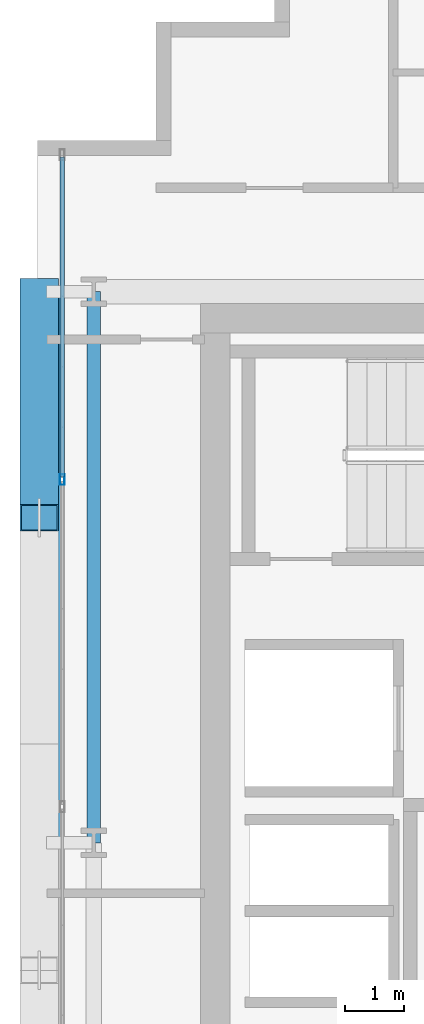
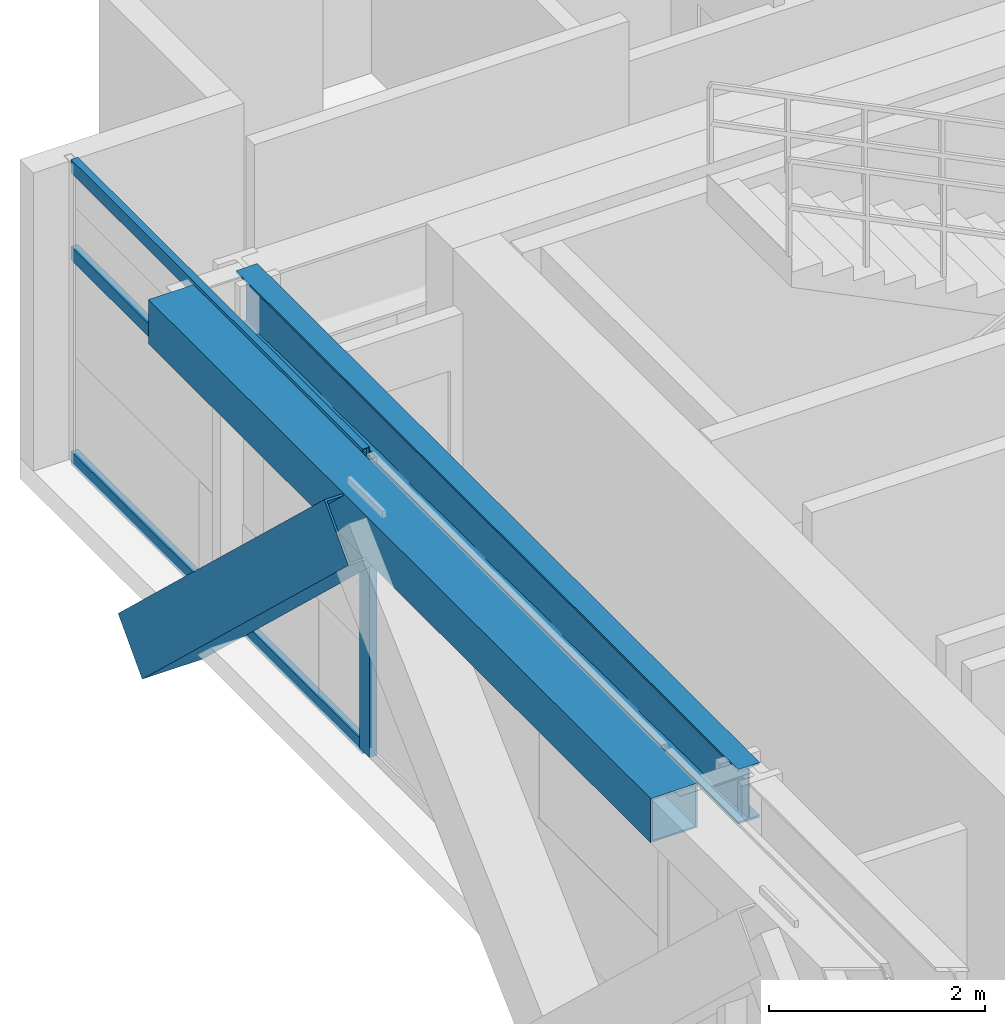
# One storey, part 8 of 31: 5 members, 2 beams, 1 element without a shape of its own.
"""IFC4 building model written with IfcOpenShell, lengths in metres."""

import ifcopenshell
import ifcopenshell.guid

model = None  # the IFC model being written
_history = None  # IfcOwnerHistory: only IFC2X3 demands one
_inside = {}  # id of a spatial element -> (the spatial element, [elements in it])
_under = {}  # id of a project, library or spatial element -> (it, [spatial elements below it])
_declared = {}  # id of a project -> (the project, [libraries it declares])
_typed = {}  # id of a type object -> (the type object, [elements of that type])
_made_of = {}  # id of a material, layer set ... -> (it, [elements and type objects made of it])


def new_model(schema):
    """Start an empty IFC model of exactly this schema.

    Asked for "IFC4X3", IfcOpenShell would pick the latest addendum, in which some entities
    have other attributes; the version numbers below select the first issue.
    IFC2X3 requires an IfcOwnerHistory on every rooted entity: one is made here for all.
    """
    global model, _history
    if schema == "IFC4X3":
        model = ifcopenshell.file(schema_version=(4, 3, 0, 0))
    else:
        model = ifcopenshell.file(schema=schema)
    _inside.clear()
    _under.clear()
    _declared.clear()
    _typed.clear()
    _made_of.clear()
    _history = None
    if model.schema == "IFC2X3":
        org = make("IfcOrganization", Name="unknown")
        user = make(
            "IfcPersonAndOrganization",
            ThePerson=make("IfcPerson", FamilyName="unknown"),
            TheOrganization=org,
        )
        app = make(
            "IfcApplication",
            ApplicationDeveloper=org,
            Version="unknown",
            ApplicationFullName="unknown",
            ApplicationIdentifier="unknown",
        )
        _history = make(
            "IfcOwnerHistory",
            OwningUser=user,
            OwningApplication=app,
            ChangeAction="ADDED",
            CreationDate=0,
        )
    return model


def make(cls, **values):
    """One entity of the class cls with the attributes given. An attribute that is None is left unset."""
    return model.create_entity(
        cls, **{name: value for name, value in values.items() if value is not None}
    )


def rooted(cls, **values):
    """An entity with a GlobalId (a new one), such as an element, a storey or a relation."""
    return make(cls, GlobalId=ifcopenshell.guid.new(), OwnerHistory=_history, **values)


def si_unit(unit_type, name, prefix=None):
    """IfcSIUnit, for example si_unit("LENGTHUNIT", "METRE", prefix="MILLI")."""
    return make("IfcSIUnit", UnitType=unit_type, Prefix=prefix, Name=name)


def assignment(units):
    """IfcUnitAssignment: the units of a project."""
    return None if units is None else make("IfcUnitAssignment", Units=units)


def point(xyz):
    """IfcCartesianPoint."""
    return None if xyz is None else make("IfcCartesianPoint", Coordinates=xyz)


def direction(xyz):
    """IfcDirection."""
    return None if xyz is None else make("IfcDirection", DirectionRatios=xyz)


def frame(location, z_axis=None, x_axis=None):
    """IfcAxis2Placement3D, a coordinate frame: its origin and axes. An axis left out is left unset."""
    return make(
        "IfcAxis2Placement3D",
        Location=point(location),
        Axis=direction(z_axis),
        RefDirection=direction(x_axis),
    )


def frame_2d(location, x_axis=None):
    """IfcAxis2Placement2D, a coordinate frame in the plane: its origin and x axis."""
    return make(
        "IfcAxis2Placement2D", Location=point(location), RefDirection=direction(x_axis)
    )


def origin():
    """The frame at (0, 0, 0) with its axes left unset."""
    return frame((0.0, 0.0, 0.0))


def origin_2d():
    """The frame at (0, 0) in the plane with its x axis left unset."""
    return frame_2d((0.0, 0.0))


def place(relative_to, where):
    """IfcLocalPlacement: puts the frame where relative to a parent placement (None: the world)."""
    return make(
        "IfcLocalPlacement", PlacementRelTo=relative_to, RelativePlacement=where
    )


def context(
    kind, dimensions, precision=None, world=None, true_north=None, identifier=None
):
    """IfcGeometricRepresentationContext, for example the 3D "Model" context."""
    return make(
        "IfcGeometricRepresentationContext",
        ContextIdentifier=identifier,
        ContextType=kind,
        CoordinateSpaceDimension=dimensions,
        Precision=precision,
        WorldCoordinateSystem=world,
        TrueNorth=true_north,
    )


def subcontext(parent, identifier, kind, view, scale=None):
    """IfcGeometricRepresentationSubContext, for example "Body" below "Model"."""
    return make(
        "IfcGeometricRepresentationSubContext",
        ContextIdentifier=identifier,
        ContextType=kind,
        ParentContext=parent,
        TargetScale=scale,
        TargetView=view,
    )


def project(units=None, contexts=None):
    """IfcProject with its units and contexts."""
    return rooted(
        "IfcProject",
        Name="project",
        RepresentationContexts=contexts,
        UnitsInContext=assignment(units),
    )


def spatial(cls, under=None, at=None, **own):
    """A site, building, storey or space (cls), placed at a placement, below another one or the project."""
    s = rooted(cls, ObjectPlacement=at, **own)
    if under is not None:
        _under.setdefault(under.id(), (under, []))[1].append(s)
    return s


def profile(cls, at=None, kind="AREA", **sizes):
    """A parametric profile (cls). Its sizes go by their IFC names, for example OverallWidth=200.0."""
    return make(cls, ProfileType=kind, Position=at, **sizes)


def hollow_rectangle(**sizes):
    """IfcRectangleHollowProfileDef."""
    return profile("IfcRectangleHollowProfileDef", **sizes)


def i_section(**sizes):
    """IfcIShapeProfileDef."""
    return profile("IfcIShapeProfileDef", **sizes)


def extrude(swept, where, along, depth):
    """IfcExtrudedAreaSolid: the profile swept, set in the frame where, extruded along a direction by depth."""
    return make(
        "IfcExtrudedAreaSolid",
        SweptArea=swept,
        Position=where,
        ExtrudedDirection=direction(along),
        Depth=depth,
    )


def shape(context_of_items, identifier, shape_type, items):
    """IfcShapeRepresentation: the items that make up one representation, for example the "Body"."""
    return make(
        "IfcShapeRepresentation",
        ContextOfItems=context_of_items,
        RepresentationIdentifier=identifier,
        RepresentationType=shape_type,
        Items=items,
    )


def source(mapping_origin, context_of_items, identifier, shape_type, items):
    """IfcRepresentationMap: a shape defined once, which mapped items show again and again."""
    return make(
        "IfcRepresentationMap",
        MappingOrigin=mapping_origin,
        MappedRepresentation=shape(context_of_items, identifier, shape_type, items),
    )


def transform(
    local_origin,
    x_axis=None,
    y_axis=None,
    z_axis=None,
    scale=None,
    scale2=None,
    scale3=None,
    uniform=True,
):
    """IfcCartesianTransformationOperator3D, or its non-uniform kind. x_axis, y_axis, z_axis: its Axis1, 2, 3."""
    if uniform:
        return make(
            "IfcCartesianTransformationOperator3D",
            Axis1=direction(x_axis),
            Axis2=direction(y_axis),
            LocalOrigin=point(local_origin),
            Scale=scale,
            Axis3=direction(z_axis),
        )
    return make(
        "IfcCartesianTransformationOperator3DnonUniform",
        Axis1=direction(x_axis),
        Axis2=direction(y_axis),
        LocalOrigin=point(local_origin),
        Scale=scale,
        Axis3=direction(z_axis),
        Scale2=scale2,
        Scale3=scale3,
    )


def mapped(mapping_source, mapping_target):
    """IfcMappedItem: shows the shape of a source again, moved by a transform."""
    return make(
        "IfcMappedItem", MappingSource=mapping_source, MappingTarget=mapping_target
    )


def material(Name=None, Category=None):
    """IfcMaterial."""
    return make("IfcMaterial", Name=Name, Category=Category)


def layer(
    of_material, thickness, ventilated=None, Name=None, Category=None, Priority=None
):
    """IfcMaterialLayer: one layer of a wall or slab, of a material (None: an air gap)."""
    return make(
        "IfcMaterialLayer",
        Material=of_material,
        LayerThickness=thickness,
        IsVentilated=ventilated,
        Name=Name,
        Category=Category,
        Priority=Priority,
    )


def layer_set(layers, Name=None):
    """IfcMaterialLayerSet."""
    return make("IfcMaterialLayerSet", MaterialLayers=layers, LayerSetName=Name)


def material_profile(
    of_material, cross_section, Name=None, Category=None, Priority=None
):
    """IfcMaterialProfile: a cross section and its material."""
    return make(
        "IfcMaterialProfile",
        Name=Name,
        Material=of_material,
        Profile=cross_section,
        Priority=Priority,
        Category=Category,
    )


def profile_set(profiles, Name=None, composite=None):
    """IfcMaterialProfileSet."""
    return make(
        "IfcMaterialProfileSet",
        Name=Name,
        MaterialProfiles=profiles,
        CompositeProfile=composite,
    )


def made_of(thing, what):
    """Note that an element or type object is made of a material, layer set ...; save() writes the relation."""
    if what is not None:
        _made_of.setdefault(what.id(), (what, []))[1].append(thing)
    return thing


def type_object(cls, material=None, **own):
    """A type object (cls), such as IfcWallType, which elements share."""
    return made_of(rooted(cls, **own), material)


def element(
    cls,
    number,
    at=None,
    inside=None,
    cuts=None,
    type_object=None,
    material=None,
    context=None,
    identifier="Body",
    shape_type=None,
    held_by="IfcProductDefinitionShape",
    body=None,
    shapes=None,
    **own,
):
    """One element of the class cls, such as IfcWall. Its Tag is "e" and its number.

    at: its placement. inside: the storey or other place that contains it. cuts: it is an
    opening in that element (IfcRelVoidsElement). A single representation is given by context,
    identifier, shape_type and body (its items); several are given by shapes. held_by: the class
    of the entity that holds the representations. save() writes the other relations.
    """
    e = rooted(cls, Tag="e%d" % number, ObjectPlacement=at, **own)
    if body is not None:
        shapes = [shape(context, identifier, shape_type, body)]
    if shapes is not None:
        e.Representation = make(held_by, Representations=shapes)
    if inside is not None:
        _inside.setdefault(inside.id(), (inside, []))[1].append(e)
    if cuts is not None:
        rooted(
            "IfcRelVoidsElement", RelatingBuildingElement=cuts, RelatedOpeningElement=e
        )
    if type_object is not None:
        _typed.setdefault(type_object.id(), (type_object, []))[1].append(e)
    return made_of(e, material)


def aggregate(whole, parts):
    """IfcRelAggregates: a whole, such as a stair, and the parts it consists of."""
    return rooted("IfcRelAggregates", RelatingObject=whole, RelatedObjects=parts)


def save(model, path):
    """Write the relations noted so far, then the file.

    IfcRelAggregates (storeys below a building ...), IfcRelContainedInSpatialStructure (elements
    in a storey), IfcRelDefinesByType, IfcRelAssociatesMaterial and IfcRelDeclares: one each for
    every whole, place, type object, material and project.
    """
    for whole, parts in _under.values():
        aggregate(whole, parts)
    for where, things in _inside.values():
        rooted(
            "IfcRelContainedInSpatialStructure",
            RelatedElements=things,
            RelatingStructure=where,
        )
    for kind, things in _typed.values():
        rooted("IfcRelDefinesByType", RelatedObjects=things, RelatingType=kind)
    for what, things in _made_of.values():
        rooted("IfcRelAssociatesMaterial", RelatedObjects=things, RelatingMaterial=what)
    for by, libraries in _declared.values():
        rooted("IfcRelDeclares", RelatingContext=by, RelatedDefinitions=libraries)
    model.write(path)


model = new_model("IFC4")

# Units and contexts
model_context = context("Model", 3, precision=1e-05, world=origin(), true_north=direction((0.0, 1.0)))
body_context = subcontext(model_context, "Body", "Model", "MODEL_VIEW")
ifc_project = project(units=[si_unit("LENGTHUNIT", "METRE"), si_unit("AREAUNIT", "SQUARE_METRE"), si_unit("VOLUMEUNIT", "CUBIC_METRE"), si_unit("PLANEANGLEUNIT", "RADIAN"), si_unit("MASSUNIT", "GRAM", prefix="KILO")], contexts=[model_context])

# Site, building, storey
site_placement = place(None, origin())
site = spatial("IfcSite", under=ifc_project, at=site_placement, CompositionType="ELEMENT")
building_placement = place(site_placement, origin())
building = spatial("IfcBuilding", under=site, at=building_placement, Name="Ocotamira Hotel", CompositionType="ELEMENT")
storey_placement = place(building_placement, frame((0.0, 0.0, 210.0)))
storey = spatial("IfcBuildingStorey", under=building, at=storey_placement, Name="L53", CompositionType="ELEMENT", Elevation=210.0)

# Beams
ifc_material_1 = material(Name="Steel ASTM A992 Grade 50", Category="steel")
ifc_material_profile_1 = material_profile(ifc_material_1, i_section(OverallWidth=0.22998046875, OverallDepth=0.616943359375, WebThickness=0.01318359375, FlangeThickness=0.022216796875, FilletRadius=0.012939453125, at=origin_2d()), Name="W24X94")
ifc_profile_set_1 = profile_set([ifc_material_profile_1], Name="Steel ASTM A992 Grade 50")
beam_type_1 = type_object("IfcBeamType", Name="BM-PRIM-W24X94", PredefinedType="BEAM", material=ifc_profile_set_1)
shared_shape_1 = source(origin(), body_context, "Body", "SweptSolid", [
    extrude(i_section(OverallWidth=0.22998046875, OverallDepth=0.616943359375, WebThickness=0.01318359375, FlangeThickness=0.022216796875, FilletRadius=0.012939453125, at=origin_2d()), origin(), (0.0, 0.0, 1.0), 9.300048828125),
])
beam_1_placement = place(storey_placement, frame((8.949951171875, 28.14990234375, 3.0615234375), z_axis=(0.0, 1.0, 0.0), x_axis=(-1.0, 0.0, 0.0)))
element("IfcBeam", 1, at=beam_1_placement, inside=storey, type_object=beam_type_1, Name="L53 Beam X8.95 Y28.15-37.45", PredefinedType="BEAM", context=body_context, shape_type="MappedRepresentation", body=[
    mapped(shared_shape_1, transform((0.0, 0.0, 0.0), scale=1.0)),
])
ifc_material_2 = material(Name="Steel ASTM A500 Grade C", Category="steel")
ifc_material_profile_2 = material_profile(ifc_material_2, hollow_rectangle(XDim=0.5, YDim=0.5, WallThickness=0.02001953125, at=origin_2d()), Name="HSS500X500X20")
ifc_profile_set_2 = profile_set([ifc_material_profile_2], Name="Steel ASTM A500 Grade C")
beam_type_2 = type_object("IfcBeamType", Name="BM-SPAN-HSS500", PredefinedType="USERDEFINED", material=ifc_profile_set_2)
shared_shape_2 = source(origin(), body_context, "Body", "SweptSolid", [
    extrude(hollow_rectangle(XDim=0.5, YDim=0.5, WallThickness=0.02001953125, at=origin_2d()), origin(), (0.0, 0.0, 1.0), 9.300048828125),
])
beam_2_placement = place(storey_placement, frame((8.14990234375, 28.14990234375, 3.1201171875), z_axis=(0.0, 1.0, 0.0), x_axis=(-1.0, 0.0, 0.0)))
element("IfcBeam", 2, at=beam_2_placement, inside=storey, type_object=beam_type_2, Name="L53 Edge Spandrel W Y28.15-37.45", ObjectType="SPANDREL", PredefinedType="USERDEFINED", context=body_context, shape_type="MappedRepresentation", body=[
    mapped(shared_shape_2, transform((0.0, 0.0, 0.0), scale=1.0)),
])

# Member
ifc_material_3 = material(Name="Pale-metal coated steel ASTM A913 Grade 65", Category="steel")
ifc_material_profile_3 = material_profile(ifc_material_3, hollow_rectangle(XDim=0.64990234375, YDim=0.64990234375, WallThickness=0.02197265625, at=origin_2d()), Name="BOX650X650X22")
ifc_profile_set_3 = profile_set([ifc_material_profile_3], Name="Pale-metal coated steel ASTM A913 Grade 65")
member_type_1 = type_object("IfcMemberType", Name="MEM-EXO-BOX650", PredefinedType="BRACE", material=ifc_profile_set_3)
shared_shape_3 = source(origin(), body_context, "Body", "SweptSolid", [
    extrude(hollow_rectangle(XDim=0.64990234375, YDim=0.64990234375, WallThickness=0.02197265625, at=origin_2d()), origin(), (0.0, 0.0, 1.0), 5.24658203125),
])
member_1_placement = place(storey_placement, frame((8.030029296875, 37.449951171875, -0.47998046875), z_axis=(0.0, -0.727442733726, 0.686168397078), x_axis=(1.0, 0.0, 0.0)))
element("IfcMember", 3, at=member_1_placement, inside=storey, type_object=member_type_1, Name="L53 Exoskeleton Diagrid W2.2", PredefinedType="BRACE", context=body_context, shape_type="MappedRepresentation", body=[
    mapped(shared_shape_3, transform((0.0, 0.0, 0.0), scale=1.0)),
])

# Curtain wall, members
ifc_material_4 = material(Name="Anodised pale-metal aluminium and solar glass", Category="aluminium")
ifc_layer = layer(ifc_material_4, 0.199951171875)
ifc_layer_set = layer_set([ifc_layer], Name="Anodised pale-metal aluminium and solar glass")
curtain_wall_type = type_object("IfcCurtainWallType", Name="CW-SYS4-Z3", PredefinedType="NOTDEFINED", material=ifc_layer_set)
curtain_wall_placement = place(storey_placement, origin())
curtain_wall = element("IfcCurtainWall", 4, at=curtain_wall_placement, inside=storey, type_object=curtain_wall_type, Name="L53 Curtain Wall CW-4 CW-L53-W", PredefinedType="NOTDEFINED")
ifc_material_5 = material(Name="Anodised pale-metal aluminium 6063-T6", Category="aluminium")
ifc_material_profile_4 = material_profile(ifc_material_5, hollow_rectangle(XDim=0.080078125, YDim=0.179931640625, WallThickness=0.006103515625, at=origin_2d()), Name="HSS180X80X6")
ifc_profile_set_4 = profile_set([ifc_material_profile_4], Name="Anodised pale-metal aluminium 6063-T6")
member_type_2 = type_object("IfcMemberType", Name="CWM-180X75", PredefinedType="MULLION", material=ifc_profile_set_4)
shared_shape_4 = source(origin(), body_context, "Body", "SweptSolid", [
    extrude(hollow_rectangle(XDim=0.080078125, YDim=0.179931640625, WallThickness=0.006103515625, at=origin_2d()), origin(), (0.0, 0.0, 1.0), 3.3701171875),
])
member_2_placement = place(storey_placement, frame((8.419921875, 34.280029296875, 0.0), z_axis=(0.0, 0.0, 1.0), x_axis=(-1.0, 0.0, 0.0)))
member_2 = element("IfcMember", 5, at=member_2_placement, type_object=member_type_2, Name="CW-4 mullion 5", PredefinedType="MULLION", context=body_context, shape_type="MappedRepresentation", body=[
    mapped(shared_shape_4, transform((0.0, 0.0, 0.0), scale=1.0)),
])
ifc_material_profile_5 = material_profile(ifc_material_5, hollow_rectangle(XDim=0.074951171875, YDim=0.14990234375, WallThickness=0.006103515625, at=origin_2d()), Name="HSS150X75X6")
ifc_profile_set_5 = profile_set([ifc_material_profile_5], Name="Anodised pale-metal aluminium 6063-T6")
member_type_3 = type_object("IfcMemberType", Name="CWT-150X75", PredefinedType="USERDEFINED", material=ifc_profile_set_5)
shared_shape_5 = source(origin(), body_context, "Body", "SweptSolid", [
    extrude(hollow_rectangle(XDim=0.074951171875, YDim=0.14990234375, WallThickness=0.006103515625, at=origin_2d()), origin(), (0.0, 0.0, 1.0), 5.39990234375),
])
member_3_placement = place(storey_placement, frame((8.419921875, 34.320068359375, 0.03759765625), z_axis=(0.0, 1.0, 0.0), x_axis=(-1.0, 0.0, 0.0)))
member_3 = element("IfcMember", 6, at=member_3_placement, type_object=member_type_3, Name="CW-4 transom 5.1", ObjectType="TRANSOM", PredefinedType="USERDEFINED", context=body_context, shape_type="MappedRepresentation", body=[
    mapped(shared_shape_5, transform((0.0, 0.0, 0.0), scale=1.0)),
])
member_4_placement = place(storey_placement, frame((8.419921875, 34.320068359375, 2.35009765625), z_axis=(0.0, 1.0, 0.0), x_axis=(-1.0, 0.0, 0.0)))
member_4 = element("IfcMember", 7, at=member_4_placement, type_object=member_type_3, Name="CW-4 transom 5.2", ObjectType="TRANSOM", PredefinedType="USERDEFINED", context=body_context, shape_type="MappedRepresentation", body=[
    mapped(shared_shape_5, transform((0.0, 0.0, 0.0), scale=1.0)),
])
member_5_placement = place(storey_placement, frame((8.419921875, 34.320068359375, 3.33251953125), z_axis=(0.0, 1.0, 0.0), x_axis=(-1.0, 0.0, 0.0)))
member_5 = element("IfcMember", 8, at=member_5_placement, type_object=member_type_3, Name="CW-4 transom 5.3", ObjectType="TRANSOM", PredefinedType="USERDEFINED", context=body_context, shape_type="MappedRepresentation", body=[
    mapped(shared_shape_5, transform((0.0, 0.0, 0.0), scale=1.0)),
])
aggregate(curtain_wall, [member_2, member_3, member_4, member_5])

save(model, "model.ifc")
